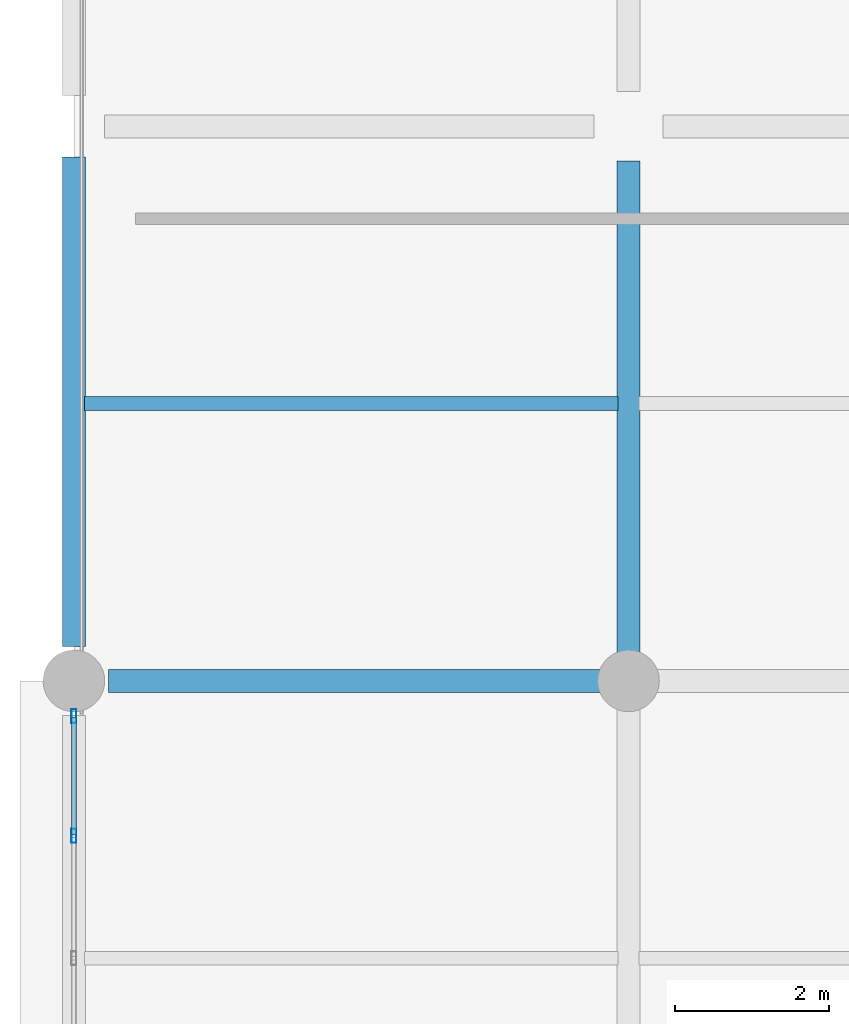
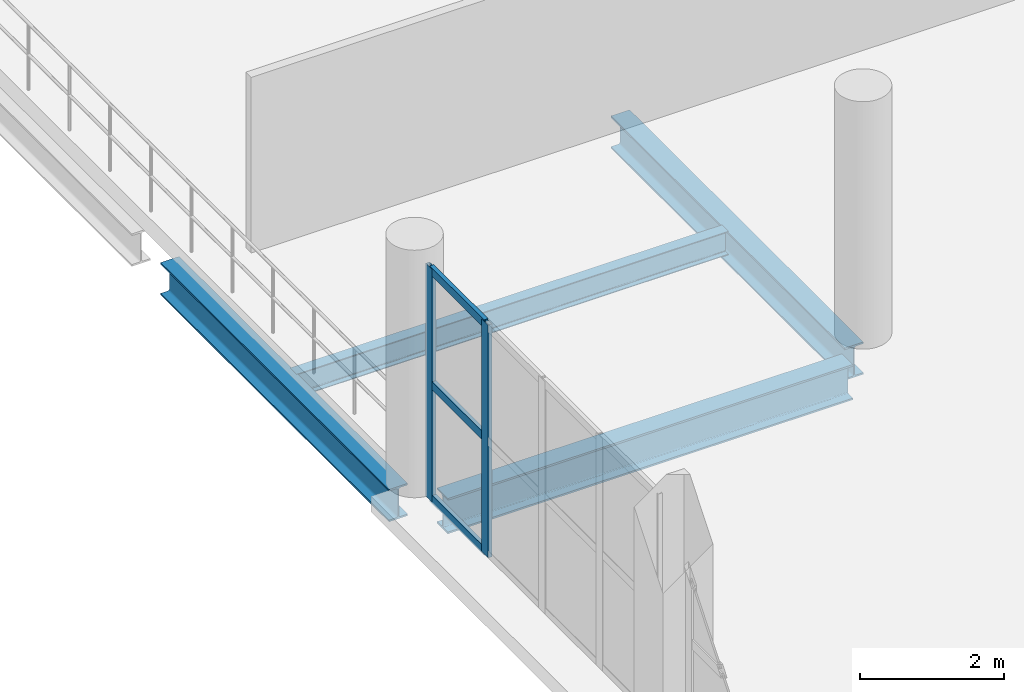
# One storey, part 51 of 153: 5 members, 4 beams, 1 element without a shape of its own.
"""IFC4 building model written with IfcOpenShell, lengths in metres."""

from ifc_helpers import new_model, si_unit, direction, frame, origin, origin_2d, place, context, subcontext, project, spatial, hollow_rectangle, i_section, extrude, material, material_profile, profile_set, type_object, element, aggregate, save


model = new_model("IFC4")

# Units and contexts
model_context = context("Model", 3, precision=1e-05, world=origin(), true_north=direction((0.0, 1.0)))
body_context = subcontext(model_context, "Body", "Model", "MODEL_VIEW")
ifc_project = project(units=[si_unit("LENGTHUNIT", "METRE"), si_unit("AREAUNIT", "SQUARE_METRE"), si_unit("VOLUMEUNIT", "CUBIC_METRE"), si_unit("PLANEANGLEUNIT", "RADIAN"), si_unit("MASSUNIT", "GRAM", prefix="KILO")], contexts=[model_context])

# Site, building, storey
site_placement = place(None, origin())
site = spatial("IfcSite", under=ifc_project, at=site_placement, CompositionType="ELEMENT")
building_placement = place(site_placement, origin())
building = spatial("IfcBuilding", under=site, at=building_placement, Name="Qandorah Velis Arena", CompositionType="ELEMENT")
storey_placement = place(building_placement, frame((0.0, 0.0, 5.39990234375)))
storey = spatial("IfcBuildingStorey", under=building, at=storey_placement, Name="L01", CompositionType="ELEMENT", Elevation=5.39990234375)

# Curtain wall, members
ifc_material_1 = material(Name="Solar-control low-E double glazing", Category="glass")
curtain_wall_type = type_object("IfcCurtainWallType", Name="ARC-CW-SYS10", PredefinedType="USERDEFINED", material=ifc_material_1)
curtain_wall_placement = place(storey_placement, origin())
curtain_wall = element("IfcCurtainWall", 1, at=curtain_wall_placement, inside=storey, type_object=curtain_wall_type, Name="Unitised curtain wall L01-010", ObjectType="UNITISED CURTAIN WALL", PredefinedType="USERDEFINED")
ifc_material_2 = material(Name="Champagne-bronze anodized aluminium 6063-T6", Category="aluminium")
ifc_material_profile_1 = material_profile(ifc_material_2, hollow_rectangle(XDim=0.06494140625, YDim=0.179931640625, WallThickness=0.00341796875, at=origin_2d()), Name="ALU MULLION 65x180")
ifc_profile_set_1 = profile_set([ifc_material_profile_1], Name="Champagne-bronze anodized aluminium 6063-T6")
member_type_1 = type_object("IfcMemberType", Name="ARC-CWM-180", PredefinedType="MULLION", material=ifc_profile_set_1)
member_1_placement = place(storey_placement, frame((0.0, 113.1875, -0.014892578125), z_axis=(0.0, 0.0, 1.0), x_axis=(-1.0, 0.0, 0.0)))
member_1 = element("IfcMember", 2, at=member_1_placement, type_object=member_type_1, Name="CW10 mullion 4", PredefinedType="MULLION", context=body_context, shape_type="SweptSolid", body=[
    extrude(hollow_rectangle(XDim=0.06494140625, YDim=0.179931640625, WallThickness=0.00341796875, at=origin_2d()), origin(), (0.0, 0.0, 1.0), 3.949951171875),
])
member_2_placement = place(storey_placement, frame((0.0, 114.742431640625, -0.014892578125), z_axis=(0.0, 0.0, 1.0), x_axis=(-1.0, 0.0, 0.0)))
member_2 = element("IfcMember", 3, at=member_2_placement, type_object=member_type_1, Name="CW10 mullion 5", PredefinedType="MULLION", context=body_context, shape_type="SweptSolid", body=[
    extrude(hollow_rectangle(XDim=0.06494140625, YDim=0.179931640625, WallThickness=0.00341796875, at=origin_2d()), origin(), (0.0, 0.0, 1.0), 3.949951171875),
])
ifc_material_profile_2 = material_profile(ifc_material_2, hollow_rectangle(XDim=0.06494140625, YDim=0.139892578125, WallThickness=0.0029296875, at=origin_2d()), Name="ALU TRANSOM 65x140")
ifc_profile_set_2 = profile_set([ifc_material_profile_2], Name="Champagne-bronze anodized aluminium 6063-T6")
member_type_2 = type_object("IfcMemberType", Name="ARC-CWT-140", PredefinedType="USERDEFINED", material=ifc_profile_set_2)
member_3_placement = place(storey_placement, frame((0.0, 113.2080078125, 0.03271484375), z_axis=(0.0, 1.0, 0.0), x_axis=(-1.0, 0.0, 0.0)))
member_3 = element("IfcMember", 4, at=member_3_placement, type_object=member_type_2, Name="CW10 transom 4.1", ObjectType="TRANSOM", PredefinedType="USERDEFINED", context=body_context, shape_type="SweptSolid", body=[
    extrude(hollow_rectangle(XDim=0.06494140625, YDim=0.139892578125, WallThickness=0.0029296875, at=origin_2d()), origin(), (0.0, 0.0, 1.0), 1.513916015625),
])
member_4_placement = place(storey_placement, frame((0.0, 113.2080078125, 1.960205078125), z_axis=(0.0, 1.0, 0.0), x_axis=(-1.0, 0.0, 0.0)))
member_4 = element("IfcMember", 5, at=member_4_placement, type_object=member_type_2, Name="CW10 transom 4.2", ObjectType="TRANSOM", PredefinedType="USERDEFINED", context=body_context, shape_type="SweptSolid", body=[
    extrude(hollow_rectangle(XDim=0.06494140625, YDim=0.139892578125, WallThickness=0.0029296875, at=origin_2d()), origin(), (0.0, 0.0, 1.0), 1.513916015625),
])
member_5_placement = place(storey_placement, frame((0.0, 113.2080078125, 3.8876953125), z_axis=(0.0, 1.0, 0.0), x_axis=(-1.0, 0.0, 0.0)))
member_5 = element("IfcMember", 6, at=member_5_placement, type_object=member_type_2, Name="CW10 transom 4.3", ObjectType="TRANSOM", PredefinedType="USERDEFINED", context=body_context, shape_type="SweptSolid", body=[
    extrude(hollow_rectangle(XDim=0.06494140625, YDim=0.139892578125, WallThickness=0.0029296875, at=origin_2d()), origin(), (0.0, 0.0, 1.0), 1.513916015625),
])
aggregate(curtain_wall, [member_1, member_2, member_3, member_4, member_5])

# Beams
ifc_material_3 = material(Name="Steel S355", Category="steel")
ifc_material_profile_3 = material_profile(ifc_material_3, i_section(OverallWidth=0.300048828125, OverallDepth=0.550048828125, WebThickness=0.014892578125, FlangeThickness=0.029052734375, FilletRadius=0.027099609375, at=origin_2d()), Name="HEB 550")
ifc_profile_set_3 = profile_set([ifc_material_profile_3], Name="Steel S355")
beam_type_1 = type_object("IfcBeamType", Name="STR-BM-HEB550", PredefinedType="BEAM", material=ifc_profile_set_3)
beam_1_placement = place(storey_placement, frame((0.0, 115.64990234375, -0.635009765625), z_axis=(0.0, 1.0, 0.0), x_axis=(-1.0, 0.0, 0.0)))
element("IfcBeam", 7, at=beam_1_placement, inside=storey, type_object=beam_type_1, Name="Primary floor girder L01 Y-236", PredefinedType="BEAM", context=body_context, shape_type="SweptSolid", body=[
    extrude(i_section(OverallWidth=0.300048828125, OverallDepth=0.550048828125, WebThickness=0.014892578125, FlangeThickness=0.029052734375, FilletRadius=0.027099609375, at=origin_2d()), origin(), (0.0, 0.0, 1.0), 6.35009765625),
])
beam_2_placement = place(storey_placement, frame((7.199951171875, 115.449951171875, -0.635009765625), z_axis=(0.0, 1.0, 0.0), x_axis=(-1.0, 0.0, 0.0)))
element("IfcBeam", 8, at=beam_2_placement, inside=storey, type_object=beam_type_1, Name="Primary floor girder L01 Y-254", PredefinedType="BEAM", context=body_context, shape_type="SweptSolid", body=[
    extrude(i_section(OverallWidth=0.300048828125, OverallDepth=0.550048828125, WebThickness=0.014892578125, FlangeThickness=0.029052734375, FilletRadius=0.027099609375, at=origin_2d()), origin(), (0.0, 0.0, 1.0), 6.5),
])
ifc_material_profile_4 = material_profile(ifc_material_3, i_section(OverallWidth=0.300048828125, OverallDepth=0.60009765625, WebThickness=0.015380859375, FlangeThickness=0.030029296875, FilletRadius=0.027099609375, at=origin_2d()), Name="HEB 600")
ifc_profile_set_4 = profile_set([ifc_material_profile_4], Name="Steel S355")
beam_type_2 = type_object("IfcBeamType", Name="STR-BM-HEB600", PredefinedType="BEAM", material=ifc_profile_set_4)
beam_3_placement = place(storey_placement, frame((0.449951171875, 115.199951171875, -0.659912109375), z_axis=(1.0, 0.0, 0.0), x_axis=(0.0, 1.0, 0.0)))
element("IfcBeam", 9, at=beam_3_placement, inside=storey, type_object=beam_type_2, Name="Primary floor girder L01 X-170", PredefinedType="BEAM", context=body_context, shape_type="SweptSolid", body=[
    extrude(i_section(OverallWidth=0.300048828125, OverallDepth=0.60009765625, WebThickness=0.015380859375, FlangeThickness=0.030029296875, FilletRadius=0.027099609375, at=origin_2d()), origin(), (0.0, 0.0, 1.0), 6.5),
])
ifc_material_profile_5 = material_profile(ifc_material_3, i_section(OverallWidth=0.179931640625, OverallDepth=0.39990234375, WebThickness=0.008544921875, FlangeThickness=0.013427734375, FilletRadius=0.02099609375, at=origin_2d()), Name="IPE 400")
ifc_profile_set_5 = profile_set([ifc_material_profile_5], Name="Steel S355")
beam_type_3 = type_object("IfcBeamType", Name="STR-JST-IPE400", PredefinedType="JOIST", material=ifc_profile_set_5)
beam_4_placement = place(storey_placement, frame((0.135009765625, 118.800048828125, -0.559814453125), z_axis=(1.0, 0.0, 0.0), x_axis=(0.0, 1.0, 0.0)))
element("IfcBeam", 10, at=beam_4_placement, inside=storey, type_object=beam_type_3, Name="Secondary floor joist L01-013", PredefinedType="JOIST", context=body_context, shape_type="SweptSolid", body=[
    extrude(i_section(OverallWidth=0.179931640625, OverallDepth=0.39990234375, WebThickness=0.008544921875, FlangeThickness=0.013427734375, FilletRadius=0.02099609375, at=origin_2d()), origin(), (0.0, 0.0, 1.0), 6.929931640625),
])

save(model, "model.ifc")
